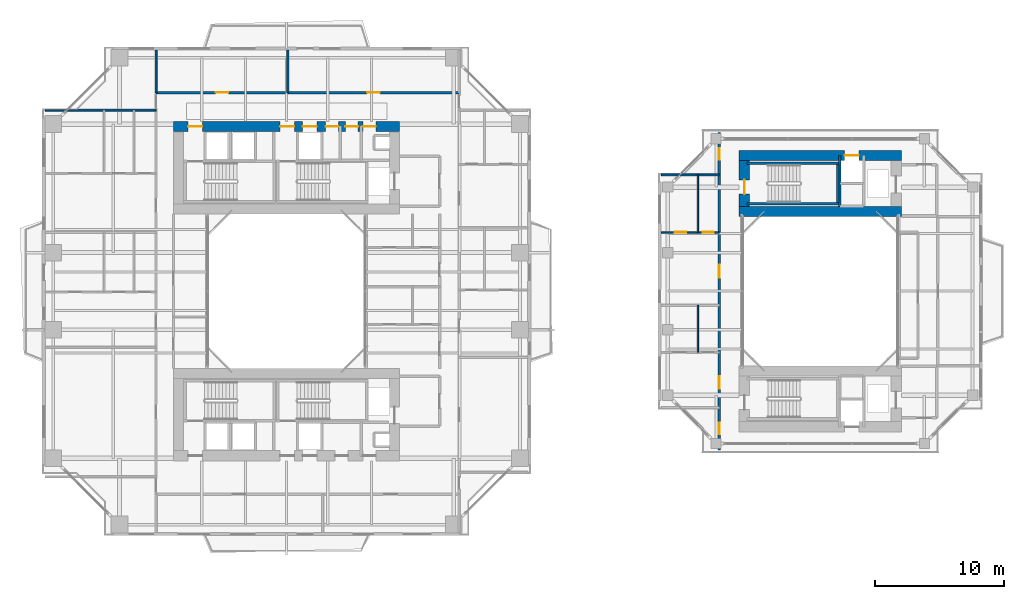
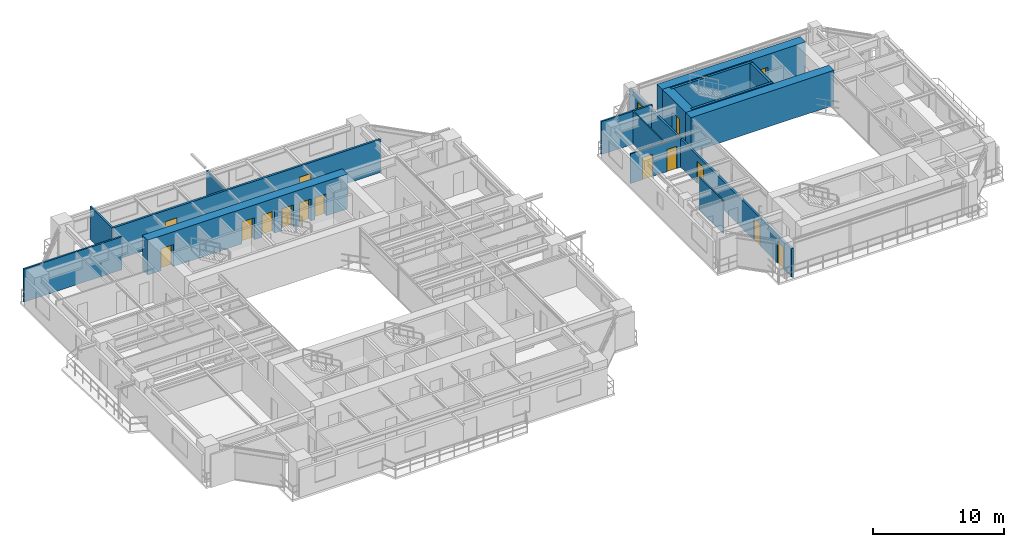
# One storey, part 17 of 23: 17 walls, 16 doors, 16 openings.
"""IFC4 building model written with IfcOpenShell, lengths in metres."""

from ifc_helpers import new_model, si_unit, direction, frame, frame_2d, origin, place, context, subcontext, project, spatial, rectangle, extrude, source, transform, mapped, material, layer, layer_set, type_object, element, fill, save


model = new_model("IFC4")

# Units and contexts
model_context = context("Model", 3, precision=1e-05, world=origin(), true_north=direction((0.0, 1.0)))
body_context = subcontext(model_context, "Body", "Model", "MODEL_VIEW")
ifc_project = project(units=[si_unit("LENGTHUNIT", "METRE"), si_unit("AREAUNIT", "SQUARE_METRE"), si_unit("VOLUMEUNIT", "CUBIC_METRE"), si_unit("PLANEANGLEUNIT", "RADIAN"), si_unit("MASSUNIT", "GRAM", prefix="KILO"), si_unit("THERMODYNAMICTEMPERATUREUNIT", "KELVIN"), si_unit("POWERUNIT", "WATT")], contexts=[model_context])

# Site, building, storey
site_placement = place(None, origin())
site = spatial("IfcSite", under=ifc_project, at=site_placement, CompositionType="ELEMENT")
building_placement = place(site_placement, origin())
building = spatial("IfcBuilding", under=site, at=building_placement, Name="Qiaomeng Ring Towers", CompositionType="ELEMENT")
storey_placement = place(building_placement, frame((0.0, 0.0, 79.5)))
storey = spatial("IfcBuildingStorey", under=building, at=storey_placement, Name="L22", CompositionType="ELEMENT", Elevation=79.5)

# Wall, openings, doors
ifc_material_1 = material(Name="Autoclaved aerated concrete block", Category="concrete")
ifc_layer_1 = layer(ifc_material_1, 0.179931640625, Name="Autoclaved aerated concrete block")
ifc_layer_set_1 = layer_set([ifc_layer_1], Name="Autoclaved aerated concrete block")
wall_type_1 = type_object("IfcWallType", Name="ARC-WL-PW2", PredefinedType="PARTITIONING", material=ifc_layer_set_1)
wall_1_placement = place(storey_placement, frame((8.85009765625, 38.43994140625, 0.0), z_axis=(0.0, 0.0, 1.0), x_axis=(1.0, 0.0, 0.0)))
wall_1 = element("IfcWall", 1, at=wall_1_placement, inside=storey, type_object=wall_type_1, Name="L22 Interior Wall PW2", PredefinedType="PARTITIONING", context=body_context, shape_type="SweptSolid", body=[
    extrude(rectangle(XDim=23.56982421875, YDim=0.179931640625, at=frame_2d((11.784912109375, 0.0))), origin(), (0.0, 0.0, 1.0), 3.070068359375),
])
opening_1_placement = place(wall_1_placement, frame((4.625, 0.0, 0.0)))
opening_1 = element("IfcOpeningElement", 2, at=opening_1_placement, cuts=wall_1, Name="Opening FD4", PredefinedType="OPENING", context=body_context, shape_type="SweptSolid", body=[
    extrude(rectangle(XDim=1.0, YDim=2.050048828125, at=frame_2d((0.5, 1.02490234375))), frame((0.0, 0.099853515625, 0.0), z_axis=(0.0, -1.0, 0.0), x_axis=(1.0, 0.0, 0.0)), (0.0, 0.0, 1.0), 0.199951171875),
])
opening_2_placement = place(wall_1_placement, frame((16.409912109375, 0.0, 0.0)))
opening_2 = element("IfcOpeningElement", 3, at=opening_2_placement, cuts=wall_1, Name="Opening FD4", PredefinedType="OPENING", context=body_context, shape_type="SweptSolid", body=[
    extrude(rectangle(XDim=1.0, YDim=2.050048828125, at=frame_2d((0.5, 1.02490234375))), frame((0.0, 0.099853515625, 0.0), z_axis=(0.0, -1.0, 0.0), x_axis=(1.0, 0.0, 0.0)), (0.0, 0.0, 1.0), 0.199951171875),
])
ifc_material_2 = material(Name="Engineered fire-rated oak timber", Category="wood")
door_type_1 = type_object("IfcDoorType", Name="ARC-DR-FD4", OperationType="NOTDEFINED", PredefinedType="DOOR", material=ifc_material_2)
shared_shape_1 = source(origin(), body_context, "Body", "SweptSolid", [
    extrude(rectangle(XDim=1.0, YDim=2.050048828125, at=frame_2d((0.5, 1.02490234375))), frame((0.0, 0.02490234375, 0.0), z_axis=(0.0, -1.0, 0.0), x_axis=(1.0, 0.0, 0.0)), (0.0, 0.0, 1.0), 0.050048828125),
])
door_1_placement = place(opening_1_placement, origin())
door_1 = element("IfcDoor", 4, at=door_1_placement, inside=storey, type_object=door_type_1, Name="L22 Door FD4", OperationType="SINGLE_SWING_LEFT", OverallHeight=2.050048828125, OverallWidth=1.0, PredefinedType="DOOR", context=body_context, shape_type="MappedRepresentation", body=[
    mapped(shared_shape_1, transform((0.0, 0.0, 0.0), x_axis=(1.0, 0.0, 0.0), y_axis=(0.0, 1.0, 0.0), z_axis=(0.0, 0.0, 1.0), scale=1.0)),
])
fill(opening_1, door_1)
door_2_placement = place(opening_2_placement, origin())
door_2 = element("IfcDoor", 5, at=door_2_placement, inside=storey, type_object=door_type_1, Name="L22 Door FD4", OperationType="SINGLE_SWING_RIGHT", OverallHeight=2.050048828125, OverallWidth=1.0, PredefinedType="DOOR", context=body_context, shape_type="MappedRepresentation", body=[
    mapped(shared_shape_1, transform((0.0, 0.0, 0.0), x_axis=(1.0, 0.0, 0.0), y_axis=(0.0, 1.0, 0.0), z_axis=(0.0, 0.0, 1.0), scale=1.0)),
])
fill(opening_2, door_2)

wall_2_placement = place(storey_placement, frame((52.64990234375, 10.64990234375, 0.0), z_axis=(0.0, 0.0, 1.0), x_axis=(0.0, 1.0, 0.0)))
wall_2 = element("IfcWall", 6, at=wall_2_placement, inside=storey, type_object=wall_type_1, Name="L22 Interior Wall PW2", PredefinedType="PARTITIONING", context=body_context, shape_type="SweptSolid", body=[
    extrude(rectangle(XDim=24.7001953125, YDim=0.179931640625, at=frame_2d((12.35009765625, 0.0))), origin(), (0.0, 0.0, 1.0), 2.614990234375),
])
opening_3_placement = place(wall_2_placement, frame((22.580078125, 0.0, 0.0)))
opening_3 = element("IfcOpeningElement", 7, at=opening_3_placement, cuts=wall_2, Name="Opening ID1", PredefinedType="OPENING", context=body_context, shape_type="SweptSolid", body=[
    extrude(rectangle(XDim=0.89990234375, YDim=2.050048828125, at=frame_2d((0.449951171875, 1.02490234375))), frame((0.0, 0.099853515625, 0.0), z_axis=(0.0, -1.0, 0.0), x_axis=(1.0, 0.0, 0.0)), (0.0, 0.0, 1.0), 0.199951171875),
])
opening_4_placement = place(wall_2_placement, frame((1.219970703125, 0.0, 0.0)))
opening_4 = element("IfcOpeningElement", 8, at=opening_4_placement, cuts=wall_2, Name="Opening ID1", PredefinedType="OPENING", context=body_context, shape_type="SweptSolid", body=[
    extrude(rectangle(XDim=0.89990234375, YDim=2.050048828125, at=frame_2d((0.449951171875, 1.02490234375))), frame((0.0, 0.099853515625, 0.0), z_axis=(0.0, -1.0, 0.0), x_axis=(1.0, 0.0, 0.0)), (0.0, 0.0, 1.0), 0.199951171875),
])
opening_5_placement = place(wall_2_placement, frame((4.7548828125, 0.0, 0.0)))
opening_5 = element("IfcOpeningElement", 9, at=opening_5_placement, cuts=wall_2, Name="Opening FD4", PredefinedType="OPENING", context=body_context, shape_type="SweptSolid", body=[
    extrude(rectangle(XDim=1.0, YDim=2.050048828125, at=frame_2d((0.5, 1.02490234375))), frame((0.0, 0.099853515625, 0.0), z_axis=(0.0, -1.0, 0.0), x_axis=(1.0, 0.0, 0.0)), (0.0, 0.0, 1.0), 0.199951171875),
])
opening_6_placement = place(wall_2_placement, frame((13.39990234375, 0.0, 0.0)))
opening_6 = element("IfcOpeningElement", 10, at=opening_6_placement, cuts=wall_2, Name="Opening FD4", PredefinedType="OPENING", context=body_context, shape_type="SweptSolid", body=[
    extrude(rectangle(XDim=1.0, YDim=2.050048828125, at=frame_2d((0.5, 1.02490234375))), frame((0.0, 0.099853515625, 0.0), z_axis=(0.0, -1.0, 0.0), x_axis=(1.0, 0.0, 0.0)), (0.0, 0.0, 1.0), 0.199951171875),
])
door_3_placement = place(opening_5_placement, origin())
door_3 = element("IfcDoor", 11, at=door_3_placement, inside=storey, type_object=door_type_1, Name="L22 Door FD4", OperationType="SINGLE_SWING_LEFT", OverallHeight=2.050048828125, OverallWidth=1.0, PredefinedType="DOOR", context=body_context, shape_type="MappedRepresentation", body=[
    mapped(shared_shape_1, transform((0.0, 0.0, 0.0), x_axis=(1.0, 0.0, 0.0), y_axis=(0.0, 1.0, 0.0), z_axis=(0.0, 0.0, 1.0), scale=1.0)),
])
fill(opening_5, door_3)
door_4_placement = place(opening_6_placement, origin())
door_4 = element("IfcDoor", 12, at=door_4_placement, inside=storey, type_object=door_type_1, Name="L22 Door FD4", OperationType="SINGLE_SWING_RIGHT", OverallHeight=2.050048828125, OverallWidth=1.0, PredefinedType="DOOR", context=body_context, shape_type="MappedRepresentation", body=[
    mapped(shared_shape_1, transform((0.0, 0.0, 0.0), x_axis=(1.0, 0.0, 0.0), y_axis=(0.0, 1.0, 0.0), z_axis=(0.0, 0.0, 1.0), scale=1.0)),
])
fill(opening_6, door_4)
ifc_material_3 = material(Name="Engineered oak timber", Category="wood")
door_type_2 = type_object("IfcDoorType", Name="ARC-DR-ID1", OperationType="NOTDEFINED", PredefinedType="DOOR", material=ifc_material_3)
shared_shape_2 = source(origin(), body_context, "Body", "SweptSolid", [
    extrude(rectangle(XDim=0.89990234375, YDim=2.050048828125, at=frame_2d((0.449951171875, 1.02490234375))), frame((0.0, 0.02490234375, 0.0), z_axis=(0.0, -1.0, 0.0), x_axis=(1.0, 0.0, 0.0)), (0.0, 0.0, 1.0), 0.050048828125),
])
door_5_placement = place(opening_3_placement, origin())
door_5 = element("IfcDoor", 13, at=door_5_placement, inside=storey, type_object=door_type_2, Name="L22 Door ID1", OperationType="SINGLE_SWING_LEFT", OverallHeight=2.050048828125, OverallWidth=0.89990234375, PredefinedType="DOOR", context=body_context, shape_type="MappedRepresentation", body=[
    mapped(shared_shape_2, transform((0.0, 0.0, 0.0), x_axis=(1.0, 0.0, 0.0), y_axis=(0.0, 1.0, 0.0), z_axis=(0.0, 0.0, 1.0), scale=1.0)),
])
fill(opening_3, door_5)
door_6_placement = place(opening_4_placement, origin())
door_6 = element("IfcDoor", 14, at=door_6_placement, inside=storey, type_object=door_type_2, Name="L22 Door ID1", OperationType="SINGLE_SWING_RIGHT", OverallHeight=2.050048828125, OverallWidth=0.89990234375, PredefinedType="DOOR", context=body_context, shape_type="MappedRepresentation", body=[
    mapped(shared_shape_2, transform((0.0, 0.0, 0.0), x_axis=(1.0, 0.0, 0.0), y_axis=(0.0, 1.0, 0.0), z_axis=(0.0, 0.0, 1.0), scale=1.0)),
])
fill(opening_4, door_6)

# Walls
ifc_material_4 = material(Name="Gypsum fireboard steel-stud partition", Category="steel")
ifc_layer_2 = layer(ifc_material_4, 0.14990234375, Name="Gypsum fireboard steel-stud partition")
ifc_layer_set_2 = layer_set([ifc_layer_2], Name="Gypsum fireboard steel-stud partition")
wall_type_2 = type_object("IfcWallType", Name="ARC-WL-PW3", PredefinedType="PARTITIONING", material=ifc_layer_set_2)
wall_3_placement = place(storey_placement, frame((19.10009765625, 38.43994140625, 0.0), z_axis=(0.0, 0.0, 1.0), x_axis=(0.0, 1.0, 0.0)))
element("IfcWall", 15, at=wall_3_placement, inside=storey, type_object=wall_type_2, Name="L22 Interior Wall PW3", PredefinedType="PARTITIONING", context=body_context, shape_type="SweptSolid", body=[
    extrude(rectangle(XDim=3.31005859375, YDim=0.14990234375, at=frame_2d((1.655029296875, 0.0))), origin(), (0.0, 0.0, 1.0), 2.821044921875),
])
wall_4_placement = place(storey_placement, frame((8.85009765625, 38.43994140625, 0.0), z_axis=(0.0, 0.0, 1.0), x_axis=(0.0, 1.0, 0.0)))
element("IfcWall", 16, at=wall_4_placement, inside=storey, type_object=wall_type_2, Name="L22 Interior Wall PW3", PredefinedType="PARTITIONING", context=body_context, shape_type="SweptSolid", body=[
    extrude(rectangle(XDim=3.31005859375, YDim=0.14990234375, at=frame_2d((1.655029296875, 0.0))), origin(), (0.0, 0.0, 1.0), 3.070068359375),
])
wall_5_placement = place(storey_placement, frame((0.25, 37.080078125, 0.0), z_axis=(0.0, 0.0, 1.0), x_axis=(1.0, 0.0, 0.0)))
element("IfcWall", 17, at=wall_5_placement, inside=storey, type_object=wall_type_2, Name="L22 Interior Wall PW3", PredefinedType="PARTITIONING", context=body_context, shape_type="SweptSolid", body=[
    extrude(rectangle(XDim=8.60009765625, YDim=0.14990234375, at=frame_2d((4.300048828125, 0.0))), origin(), (0.0, 0.0, 1.0), 3.070068359375),
])
wall_6_placement = place(storey_placement, frame((48.14990234375, 32.050048828125, 0.0), z_axis=(0.0, 0.0, 1.0), x_axis=(1.0, 0.0, 0.0)))
element("IfcWall", 18, at=wall_6_placement, inside=storey, type_object=wall_type_2, Name="L22 Interior Wall PW3", PredefinedType="PARTITIONING", context=body_context, shape_type="SweptSolid", body=[
    extrude(rectangle(XDim=4.5, YDim=0.14990234375, at=frame_2d((2.25, 0.0))), origin(), (0.0, 0.0, 1.0), 3.070068359375),
])
ifc_material_5 = material(Name="Moisture-resistant gypsum steel-stud partition", Category="steel")
ifc_layer_3 = layer(ifc_material_5, 0.1201171875, Name="Moisture-resistant gypsum steel-stud partition")
ifc_layer_set_3 = layer_set([ifc_layer_3], Name="Moisture-resistant gypsum steel-stud partition")
wall_type_3 = type_object("IfcWallType", Name="ARC-WL-PW4", PredefinedType="PLUMBINGWALL", material=ifc_layer_set_3)
wall_7_placement = place(storey_placement, frame((50.97998046875, 18.239990234375, 0.0), z_axis=(0.0, 0.0, 1.0), x_axis=(0.0, 1.0, 0.0)))
element("IfcWall", 19, at=wall_7_placement, inside=storey, type_object=wall_type_3, Name="L22 Interior Wall PW4", PredefinedType="PLUMBINGWALL", context=body_context, shape_type="SweptSolid", body=[
    extrude(rectangle(XDim=3.659912109375, YDim=0.1201171875, at=frame_2d((1.830078125, 0.0))), origin(), (0.0, 0.0, 1.0), 3.070068359375),
])

# Wall, openings, doors
wall_8_placement = place(storey_placement, frame((48.14990234375, 27.580078125, 0.0), z_axis=(0.0, 0.0, 1.0), x_axis=(1.0, 0.0, 0.0)))
wall_8 = element("IfcWall", 20, at=wall_8_placement, inside=storey, type_object=wall_type_3, Name="L22 Interior Wall PW4", PredefinedType="PLUMBINGWALL", context=body_context, shape_type="SweptSolid", body=[
    extrude(rectangle(XDim=4.5, YDim=0.1201171875, at=frame_2d((2.25, 0.0))), origin(), (0.0, 0.0, 1.0), 2.764892578125),
])
opening_7_placement = place(wall_8_placement, frame((1.035888671875, 0.0, 0.0)))
opening_7 = element("IfcOpeningElement", 21, at=opening_7_placement, cuts=wall_8, Name="Opening ID1", PredefinedType="OPENING", context=body_context, shape_type="SweptSolid", body=[
    extrude(rectangle(XDim=0.89990234375, YDim=2.050048828125, at=frame_2d((0.449951171875, 1.02490234375))), frame((0.0, 0.070068359375, 0.0), z_axis=(0.0, -1.0, 0.0), x_axis=(1.0, 0.0, 0.0)), (0.0, 0.0, 1.0), 0.14013671875),
])
opening_8_placement = place(wall_8_placement, frame((3.22998046875, 0.0, 0.0)))
opening_8 = element("IfcOpeningElement", 22, at=opening_8_placement, cuts=wall_8, Name="Opening ID2", PredefinedType="OPENING", context=body_context, shape_type="SweptSolid", body=[
    extrude(rectangle(XDim=0.85009765625, YDim=2.050048828125, at=frame_2d((0.425048828125, 1.02490234375))), frame((0.0, 0.070068359375, 0.0), z_axis=(0.0, -1.0, 0.0), x_axis=(1.0, 0.0, 0.0)), (0.0, 0.0, 1.0), 0.14013671875),
])
ifc_material_6 = material(Name="Moisture-resistant engineered timber", Category="wood")
door_type_3 = type_object("IfcDoorType", Name="ARC-DR-ID2", OperationType="NOTDEFINED", PredefinedType="DOOR", material=ifc_material_6)
shared_shape_3 = source(origin(), body_context, "Body", "SweptSolid", [
    extrude(rectangle(XDim=0.85009765625, YDim=2.050048828125, at=frame_2d((0.425048828125, 1.02490234375))), frame((0.0, 0.02490234375, 0.0), z_axis=(0.0, -1.0, 0.0), x_axis=(1.0, 0.0, 0.0)), (0.0, 0.0, 1.0), 0.050048828125),
])
door_7_placement = place(opening_8_placement, origin())
door_7 = element("IfcDoor", 23, at=door_7_placement, inside=storey, type_object=door_type_3, Name="L22 Door ID2", OperationType="SINGLE_SWING_RIGHT", OverallHeight=2.050048828125, OverallWidth=0.85009765625, PredefinedType="DOOR", context=body_context, shape_type="MappedRepresentation", body=[
    mapped(shared_shape_3, transform((0.0, 0.0, 0.0), x_axis=(1.0, 0.0, 0.0), y_axis=(0.0, 1.0, 0.0), z_axis=(0.0, 0.0, 1.0), scale=1.0)),
])
fill(opening_8, door_7)
door_8_placement = place(opening_7_placement, origin())
door_8 = element("IfcDoor", 24, at=door_8_placement, inside=storey, type_object=door_type_2, Name="L22 Door ID1", OperationType="SINGLE_SWING_LEFT", OverallHeight=2.050048828125, OverallWidth=0.89990234375, PredefinedType="DOOR", context=body_context, shape_type="MappedRepresentation", body=[
    mapped(shared_shape_2, transform((0.0, 0.0, 0.0), x_axis=(1.0, 0.0, 0.0), y_axis=(0.0, 1.0, 0.0), z_axis=(0.0, 0.0, 1.0), scale=1.0)),
])
fill(opening_7, door_8)

# Walls
wall_9_placement = place(storey_placement, frame((50.97998046875, 27.580078125, 0.0), z_axis=(0.0, 0.0, 1.0), x_axis=(0.0, 1.0, 0.0)))
element("IfcWall", 25, at=wall_9_placement, inside=storey, type_object=wall_type_3, Name="L22 Interior Wall PW4", PredefinedType="PLUMBINGWALL", context=body_context, shape_type="SweptSolid", body=[
    extrude(rectangle(XDim=4.469970703125, YDim=0.1201171875, at=frame_2d((2.23486328125, 0.0))), origin(), (0.0, 0.0, 1.0), 3.070068359375),
])
ifc_material_7 = material(Name="Concrete C40", Category="concrete")
ifc_layer_4 = layer(ifc_material_7, 0.199951171875, Name="Concrete C40")
ifc_layer_set_4 = layer_set([ifc_layer_4], Name="Concrete C40")
wall_type_4 = type_object("IfcWallType", Name="STR-WL-STSHAFT", PredefinedType="SHEAR", material=ifc_layer_set_4)
wall_10_placement = place(storey_placement, frame((62.02001953125, 29.60009765625, 0.0), z_axis=(0.0, 0.0, 1.0), x_axis=(0.0, 1.0, 0.0)))
element("IfcWall", 26, at=wall_10_placement, inside=storey, type_object=wall_type_4, Name="L22 Companion Lift Shaft West Wall N", PredefinedType="SHEAR", context=body_context, shape_type="SweptSolid", body=[
    extrude(rectangle(XDim=3.949951171875, YDim=0.179931640625, at=frame_2d((1.97509765625, 0.0))), origin(), (0.0, 0.0, 1.0), 3.070068359375),
])
for number, where, z_axis, x_axis, name in (
    (27, (54.800048828125, 29.800048828125, 0.0), (0.0, 0.0, 1.0), (1.0, 0.0, 0.0), "L22 Stair ST5 South Shaft Shear Wall"),
    (28, (54.800048828125, 32.93994140625, 0.0), (0.0, 0.0, 1.0), (1.0, 0.0, 0.0), "L22 Stair ST5 North Shaft Shear Wall"),
):
    element("IfcWall", number, at=place(storey_placement, frame(where, z_axis=z_axis, x_axis=x_axis)), inside=storey, type_object=wall_type_4, Name=name, PredefinedType="SHEAR", context=body_context, shape_type="SweptSolid", body=[
        extrude(rectangle(XDim=7.14990234375, YDim=0.199951171875, at=frame_2d((3.574951171875, 0.0))), origin(), (0.0, 0.0, 1.0), 3.25),
    ])
wall_11_placement = place(storey_placement, frame((61.85009765625, 29.89990234375, 0.0), z_axis=(0.0, 0.0, 1.0), x_axis=(0.0, 1.0, 0.0)))
element("IfcWall", 29, at=wall_11_placement, inside=storey, type_object=wall_type_4, Name="L22 Stair ST5 East Shaft Shear Wall", PredefinedType="SHEAR", context=body_context, shape_type="SweptSolid", body=[
    extrude(rectangle(XDim=2.940185546875, YDim=0.199951171875, at=frame_2d((1.47021484375, 0.0))), origin(), (0.0, 0.0, 1.0), 3.25),
])

# Wall, openings, doors
ifc_material_8 = material(Name="Concrete C60", Category="concrete")
ifc_layer_5 = layer(ifc_material_8, 0.800048828125, Name="Concrete C60")
ifc_layer_set_5 = layer_set([ifc_layer_5], Name="Concrete C60")
wall_type_5 = type_object("IfcWallType", Name="STR-WL-SW1", PredefinedType="SHEAR", material=ifc_layer_set_5)
wall_12_placement = place(storey_placement, frame((10.199951171875, 35.800048828125, 0.0), z_axis=(0.0, 0.0, 1.0), x_axis=(1.0, 0.0, 0.0)))
wall_12 = element("IfcWall", 30, at=wall_12_placement, inside=storey, type_object=wall_type_5, Name="L22 T1NC north core shear wall", PredefinedType="SHEAR", context=body_context, shape_type="SweptSolid", body=[
    extrude(rectangle(XDim=17.60009765625, YDim=0.800048828125, at=frame_2d((8.800048828125, 0.0))), origin(), (0.0, 0.0, 1.0), 3.25),
])
opening_9_placement = place(wall_12_placement, frame((1.14990234375, 0.0, 0.0)))
opening_9 = element("IfcOpeningElement", 31, at=opening_9_placement, cuts=wall_12, Name="Opening FD3", PredefinedType="OPENING", context=body_context, shape_type="SweptSolid", body=[
    extrude(rectangle(XDim=1.10009765625, YDim=2.050048828125, at=frame_2d((0.550048828125, 1.02490234375))), frame((0.0, 0.409912109375, 0.0), z_axis=(0.0, -1.0, 0.0), x_axis=(1.0, 0.0, 0.0)), (0.0, 0.0, 1.0), 0.820068359375),
])
opening_10_placement = place(wall_12_placement, frame((8.300048828125, 0.0, 0.0)))
opening_10 = element("IfcOpeningElement", 32, at=opening_10_placement, cuts=wall_12, Name="Opening FD3", PredefinedType="OPENING", context=body_context, shape_type="SweptSolid", body=[
    extrude(rectangle(XDim=1.10009765625, YDim=2.050048828125, at=frame_2d((0.550048828125, 1.02490234375))), frame((0.0, 0.409912109375, 0.0), z_axis=(0.0, -1.0, 0.0), x_axis=(1.0, 0.0, 0.0)), (0.0, 0.0, 1.0), 0.820068359375),
])
opening_11_placement = place(wall_12_placement, frame((10.050048828125, 0.0, 0.0)))
opening_11 = element("IfcOpeningElement", 33, at=opening_11_placement, cuts=wall_12, Name="Opening LD1", PredefinedType="OPENING", context=body_context, shape_type="SweptSolid", body=[
    extrude(rectangle(XDim=1.10009765625, YDim=2.050048828125, at=frame_2d((0.550048828125, 1.02490234375))), frame((0.0, 0.409912109375, 0.0), z_axis=(0.0, -1.0, 0.0), x_axis=(1.0, 0.0, 0.0)), (0.0, 0.0, 1.0), 0.820068359375),
])
opening_12_placement = place(wall_12_placement, frame((14.739990234375, 0.0, 0.0)))
opening_12 = element("IfcOpeningElement", 34, at=opening_12_placement, cuts=wall_12, Name="Opening FD1", PredefinedType="OPENING", context=body_context, shape_type="SweptSolid", body=[
    extrude(rectangle(XDim=1.0, YDim=2.050048828125, at=frame_2d((0.5, 1.02490234375))), frame((0.0, 0.409912109375, 0.0), z_axis=(0.0, -1.0, 0.0), x_axis=(1.0, 0.0, 0.0)), (0.0, 0.0, 1.0), 0.820068359375),
])
opening_13_placement = place(wall_12_placement, frame((11.8349609375, 0.0, 0.0)))
opening_13 = element("IfcOpeningElement", 35, at=opening_13_placement, cuts=wall_12, Name="Opening FD1", PredefinedType="OPENING", context=body_context, shape_type="SweptSolid", body=[
    extrude(rectangle(XDim=1.0, YDim=2.050048828125, at=frame_2d((0.5, 1.02490234375))), frame((0.0, 0.409912109375, 0.0), z_axis=(0.0, -1.0, 0.0), x_axis=(1.0, 0.0, 0.0)), (0.0, 0.0, 1.0), 0.820068359375),
])
opening_14_placement = place(wall_12_placement, frame((13.3701171875, 0.0, 0.0)))
opening_14 = element("IfcOpeningElement", 36, at=opening_14_placement, cuts=wall_12, Name="Opening FD1", PredefinedType="OPENING", context=body_context, shape_type="SweptSolid", body=[
    extrude(rectangle(XDim=1.0, YDim=2.050048828125, at=frame_2d((0.5, 1.02490234375))), frame((0.0, 0.409912109375, 0.0), z_axis=(0.0, -1.0, 0.0), x_axis=(1.0, 0.0, 0.0)), (0.0, 0.0, 1.0), 0.820068359375),
])
ifc_material_9 = material(Name="Galvanised steel", Category="steel")
door_type_4 = type_object("IfcDoorType", Name="ARC-DR-FD3", OperationType="NOTDEFINED", PredefinedType="DOOR", material=ifc_material_9)
shared_shape_4 = source(origin(), body_context, "Body", "SweptSolid", [
    extrude(rectangle(XDim=1.10009765625, YDim=2.050048828125, at=frame_2d((0.550048828125, 1.02490234375))), frame((0.0, 0.02490234375, 0.0), z_axis=(0.0, -1.0, 0.0), x_axis=(1.0, 0.0, 0.0)), (0.0, 0.0, 1.0), 0.050048828125),
])
door_9_placement = place(opening_9_placement, origin())
door_9 = element("IfcDoor", 37, at=door_9_placement, inside=storey, type_object=door_type_4, Name="L22 Stair ST1 Lobby Door", OperationType="SINGLE_SWING_RIGHT", OverallHeight=2.050048828125, OverallWidth=1.10009765625, PredefinedType="DOOR", context=body_context, shape_type="MappedRepresentation", body=[
    mapped(shared_shape_4, transform((0.0, 0.0, 0.0), x_axis=(1.0, 0.0, 0.0), y_axis=(0.0, 1.0, 0.0), z_axis=(0.0, 0.0, 1.0), scale=1.0)),
])
fill(opening_9, door_9)
door_10_placement = place(opening_10_placement, origin())
door_10 = element("IfcDoor", 38, at=door_10_placement, inside=storey, type_object=door_type_4, Name="L22 Stair ST2 Lobby Door", OperationType="SINGLE_SWING_RIGHT", OverallHeight=2.050048828125, OverallWidth=1.10009765625, PredefinedType="DOOR", context=body_context, shape_type="MappedRepresentation", body=[
    mapped(shared_shape_4, transform((0.0, 0.0, 0.0), x_axis=(1.0, 0.0, 0.0), y_axis=(0.0, 1.0, 0.0), z_axis=(0.0, 0.0, 1.0), scale=1.0)),
])
fill(opening_10, door_10)
ifc_material_10 = material(Name="Stainless steel 316", Category="steel")
door_type_5 = type_object("IfcDoorType", Name="ARC-DR-LD1", OperationType="NOTDEFINED", PredefinedType="DOOR", material=ifc_material_10)
door_11_placement = place(opening_11_placement, origin())
door_11 = element("IfcDoor", 39, at=door_11_placement, inside=storey, type_object=door_type_5, Name="L22 Low-Zone Lift LP1 Landing Door", OperationType="SLIDING_TO_LEFT", OverallHeight=2.050048828125, OverallWidth=1.10009765625, PredefinedType="DOOR", context=body_context, shape_type="MappedRepresentation", body=[
    mapped(shared_shape_4, transform((0.0, 0.0, 0.0), x_axis=(1.0, 0.0, 0.0), y_axis=(0.0, 1.0, 0.0), z_axis=(0.0, 0.0, 1.0), scale=1.0)),
])
fill(opening_11, door_11)
door_type_6 = type_object("IfcDoorType", Name="ARC-DR-FD1", OperationType="NOTDEFINED", PredefinedType="DOOR", material=ifc_material_9)
door_12_placement = place(opening_12_placement, origin())
door_12 = element("IfcDoor", 40, at=door_12_placement, inside=storey, type_object=door_type_6, Name="L22 North Electrical Riser Door", OperationType="SINGLE_SWING_RIGHT", OverallHeight=2.050048828125, OverallWidth=1.0, PredefinedType="DOOR", context=body_context, shape_type="MappedRepresentation", body=[
    mapped(shared_shape_1, transform((0.0, 0.0, 0.0), x_axis=(1.0, 0.0, 0.0), y_axis=(0.0, 1.0, 0.0), z_axis=(0.0, 0.0, 1.0), scale=1.0)),
])
fill(opening_12, door_12)
door_13_placement = place(opening_13_placement, origin())
door_13 = element("IfcDoor", 41, at=door_13_placement, inside=storey, type_object=door_type_6, Name="L22 North Cleaners Store Door", OperationType="SINGLE_SWING_RIGHT", OverallHeight=2.050048828125, OverallWidth=1.0, PredefinedType="DOOR", context=body_context, shape_type="MappedRepresentation", body=[
    mapped(shared_shape_1, transform((0.0, 0.0, 0.0), x_axis=(1.0, 0.0, 0.0), y_axis=(0.0, 1.0, 0.0), z_axis=(0.0, 0.0, 1.0), scale=1.0)),
])
fill(opening_13, door_13)
door_14_placement = place(opening_14_placement, origin())
door_14 = element("IfcDoor", 42, at=door_14_placement, inside=storey, type_object=door_type_6, Name="L22 North Beverage Pantry Door", OperationType="SINGLE_SWING_LEFT", OverallHeight=2.050048828125, OverallWidth=1.0, PredefinedType="DOOR", context=body_context, shape_type="MappedRepresentation", body=[
    mapped(shared_shape_1, transform((0.0, 0.0, 0.0), x_axis=(1.0, 0.0, 0.0), y_axis=(0.0, 1.0, 0.0), z_axis=(0.0, 0.0, 1.0), scale=1.0)),
])
fill(opening_14, door_14)

# Wall
wall_13_placement = place(storey_placement, frame((54.199951171875, 29.199951171875, 0.0), z_axis=(0.0, 0.0, 1.0), x_axis=(1.0, 0.0, 0.0)))
element("IfcWall", 43, at=wall_13_placement, inside=storey, type_object=wall_type_5, Name="L22 T2NC south core shear wall", PredefinedType="SHEAR", context=body_context, shape_type="SweptSolid", body=[
    extrude(rectangle(XDim=12.60009765625, YDim=0.800048828125, at=frame_2d((6.300048828125, 0.0))), origin(), (0.0, 0.0, 1.0), 3.25),
])

# Wall, opening, door
wall_14_placement = place(storey_placement, frame((54.199951171875, 33.550048828125, 0.0), z_axis=(0.0, 0.0, 1.0), x_axis=(1.0, 0.0, 0.0)))
wall_14 = element("IfcWall", 44, at=wall_14_placement, inside=storey, type_object=wall_type_5, Name="L22 T2NC north core shear wall", PredefinedType="SHEAR", context=body_context, shape_type="SweptSolid", body=[
    extrude(rectangle(XDim=12.60009765625, YDim=0.800048828125, at=frame_2d((6.300048828125, 0.0))), origin(), (0.0, 0.0, 1.0), 3.25),
])
opening_15_placement = place(wall_14_placement, frame((8.199951171875, 0.0, 0.0)))
opening_15 = element("IfcOpeningElement", 45, at=opening_15_placement, cuts=wall_14, Name="Opening LD1", PredefinedType="OPENING", context=body_context, shape_type="SweptSolid", body=[
    extrude(rectangle(XDim=1.10009765625, YDim=2.050048828125, at=frame_2d((0.550048828125, 1.02490234375))), frame((0.0, 0.409912109375, 0.0), z_axis=(0.0, -1.0, 0.0), x_axis=(1.0, 0.0, 0.0)), (0.0, 0.0, 1.0), 0.820068359375),
])
door_15_placement = place(opening_15_placement, origin())
door_15 = element("IfcDoor", 46, at=door_15_placement, inside=storey, type_object=door_type_5, Name="L22 Companion Lift LP7 Landing Door", OperationType="SLIDING_TO_LEFT", OverallHeight=2.050048828125, OverallWidth=1.10009765625, PredefinedType="DOOR", context=body_context, shape_type="MappedRepresentation", body=[
    mapped(shared_shape_4, transform((0.0, 0.0, 0.0), x_axis=(1.0, 0.0, 0.0), y_axis=(0.0, 1.0, 0.0), z_axis=(0.0, 0.0, 1.0), scale=1.0)),
])
fill(opening_15, door_15)

wall_15_placement = place(storey_placement, frame((54.60009765625, 29.60009765625, 0.0), z_axis=(0.0, 0.0, 1.0), x_axis=(0.0, 1.0, 0.0)))
wall_15 = element("IfcWall", 47, at=wall_15_placement, inside=storey, type_object=wall_type_5, Name="L22 T2NC west core shear wall", PredefinedType="SHEAR", context=body_context, shape_type="SweptSolid", body=[
    extrude(rectangle(XDim=3.5498046875, YDim=0.800048828125, at=frame_2d((1.77490234375, 0.0))), origin(), (0.0, 0.0, 1.0), 3.25),
])
opening_16_placement = place(wall_15_placement, frame((0.949951171875, 0.0, 0.0)))
opening_16 = element("IfcOpeningElement", 48, at=opening_16_placement, cuts=wall_15, Name="Opening FD3", PredefinedType="OPENING", context=body_context, shape_type="SweptSolid", body=[
    extrude(rectangle(XDim=1.10009765625, YDim=2.050048828125, at=frame_2d((0.550048828125, 1.02490234375))), frame((0.0, 0.409912109375, 0.0), z_axis=(0.0, -1.0, 0.0), x_axis=(1.0, 0.0, 0.0)), (0.0, 0.0, 1.0), 0.820068359375),
])
door_16_placement = place(opening_16_placement, origin())
door_16 = element("IfcDoor", 49, at=door_16_placement, inside=storey, type_object=door_type_4, Name="L22 Stair ST5 Exit Door", OperationType="SINGLE_SWING_RIGHT", OverallHeight=2.050048828125, OverallWidth=1.10009765625, PredefinedType="DOOR", context=body_context, shape_type="MappedRepresentation", body=[
    mapped(shared_shape_4, transform((0.0, 0.0, 0.0), x_axis=(1.0, 0.0, 0.0), y_axis=(0.0, 1.0, 0.0), z_axis=(0.0, 0.0, 1.0), scale=1.0)),
])
fill(opening_16, door_16)

save(model, "model.ifc")
